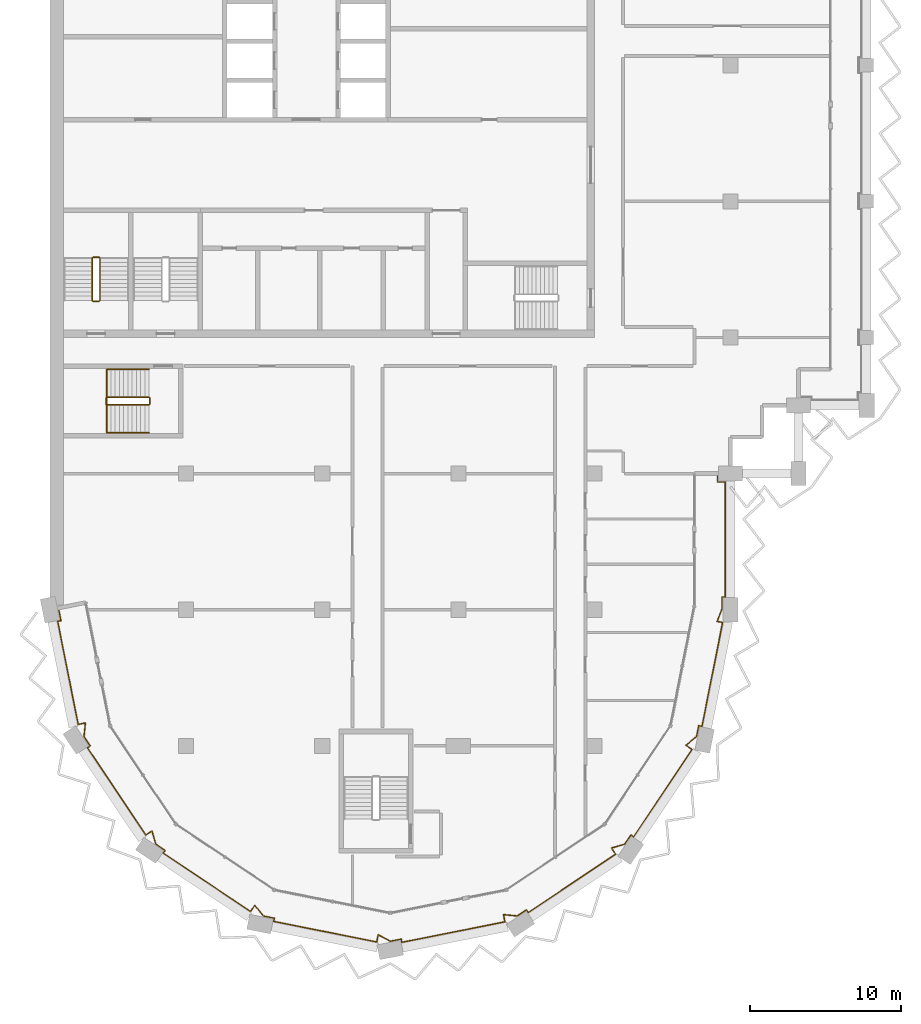
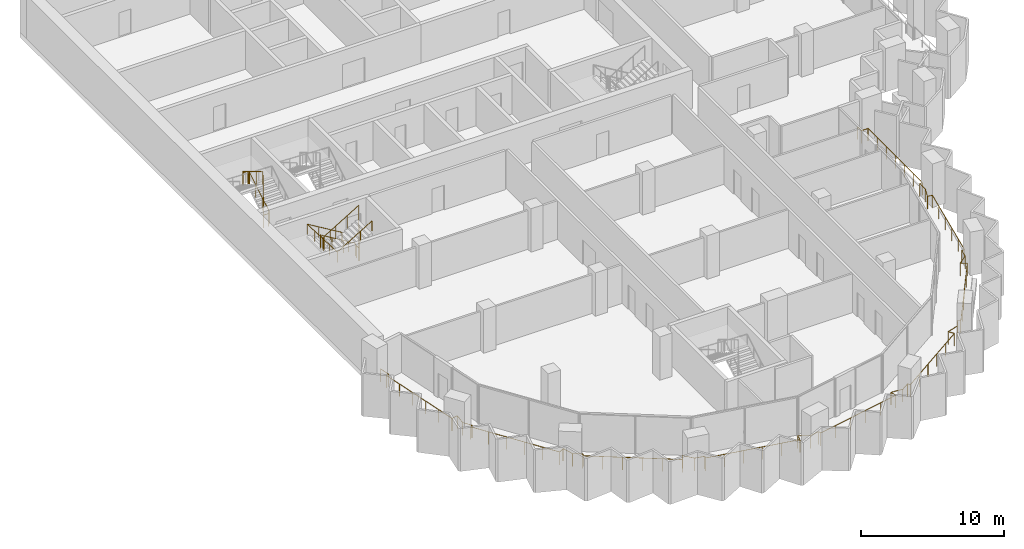
# One storey, part 14 of 16: 4 railings.
"""IFC4 building model written with IfcOpenShell, lengths in metres."""

from ifc_helpers import new_model, si_unit, direction, frame, origin, origin_2d, place, context, subcontext, project, spatial, circle, extrude, material, type_object, element, save


model = new_model("IFC4")

# Units and contexts
model_context = context("Model", 3, precision=1e-05, world=origin(), true_north=direction((0.0, 1.0)))
body_context = subcontext(model_context, "Body", "Model", "MODEL_VIEW")
ifc_project = project(units=[si_unit("LENGTHUNIT", "METRE"), si_unit("AREAUNIT", "SQUARE_METRE"), si_unit("VOLUMEUNIT", "CUBIC_METRE"), si_unit("PLANEANGLEUNIT", "RADIAN"), si_unit("MASSUNIT", "GRAM", prefix="KILO")], contexts=[model_context])

# Site, building, storey
site_placement = place(None, origin())
site = spatial("IfcSite", under=ifc_project, at=site_placement, CompositionType="ELEMENT")
building_placement = place(site_placement, origin())
building = spatial("IfcBuilding", under=site, at=building_placement, Name="Hunhe Ridgeline Campus", CompositionType="ELEMENT")
storey_placement = place(building_placement, frame((0.0, 0.0, 261.39990234375)))
storey = spatial("IfcBuildingStorey", under=building, at=storey_placement, Name="L67", CompositionType="ELEMENT", Elevation=261.39990234375)

# Railings
ifc_material_1 = material(Name="Steel Q355", Category="steel")
railing_type_1 = type_object("IfcRailingType", Name="Loggia guard 1100 Steel Q355", PredefinedType="GUARDRAIL", material=ifc_material_1)
railing_1_placement = place(storey_placement, frame((0.55908203125, 45.111083984375, 0.0)))
element("IfcRailing", 1, at=railing_1_placement, inside=storey, type_object=railing_type_1, Name="Loggia guard 1", PredefinedType="GUARDRAIL", context=body_context, shape_type="SweptSolid", body=[
    extrude(circle(Radius=0.02392578125, at=origin_2d()), frame((0.0, 0.0, 1.076171875), z_axis=(0.195066328581, -0.980790052689, 0.0), x_axis=(0.980790052689, 0.195066328581, 0.0)), (0.0, 0.0, 1.0), 0.849853515625),
    extrude(circle(Radius=0.02392578125, at=origin_2d()), frame((0.165771484375, -0.83349609375, 1.076171875), z_axis=(-0.980750988442, -0.195262640233, 0.0), x_axis=(0.195262640233, -0.980750988442, 0.0)), (0.0, 0.0, 1.0), 0.219970703125),
    extrude(circle(Radius=0.02392578125, at=origin_2d()), frame((-0.050048828125, -0.87646484375, 1.076171875), z_axis=(0.1951025318, -0.980782851647, 0.0), x_axis=(0.980782851647, 0.1951025318, 0.0)), (0.0, 0.0, 1.0), 6.94873046875),
    extrude(circle(Radius=0.02392578125, at=origin_2d()), frame((1.3056640625, -7.691650390625, 1.076171875), z_axis=(0.980791706313, 0.195058014004, 0.0), x_axis=(-0.195058014004, 0.980791706313, 0.0)), (0.0, 0.0, 1.0), 0.488037109375),
    extrude(circle(Radius=0.02392578125, at=origin_2d()), frame((1.784423828125, -7.596435546875, 1.076171875), z_axis=(-0.103312201106, -0.994648977832, 0.0), x_axis=(0.994648977832, -0.103312201106, 0.0)), (0.0, 0.0, 1.0), 0.907470703125),
    extrude(circle(Radius=0.02392578125, at=origin_2d()), frame((1.690673828125, -8.4990234375, 1.076171875), z_axis=(0.555464783965, -0.831540061437, 0.0), x_axis=(0.831540061437, 0.555464783965, 0.0)), (0.0, 0.0, 1.0), 0.736572265625),
    extrude(circle(Radius=0.02392578125, at=origin_2d()), frame((2.099853515625, -9.111572265625, 1.076171875), z_axis=(-0.831708467209, -0.555212594933, 0.0), x_axis=(0.555212594933, -0.831708467209, 0.0)), (0.0, 0.0, 1.0), 0.219970703125),
    extrude(circle(Radius=0.02392578125, at=origin_2d()), frame((1.9169921875, -9.233642578125, 1.076171875), z_axis=(0.555559363791, -0.831476874786, 0.0), x_axis=(0.831476874786, 0.555559363791, 0.0)), (0.0, 0.0, 1.0), 6.948486328125),
    extrude(circle(Radius=0.02392578125, at=origin_2d()), frame((5.77734375, -15.01123046875, 1.076171875), z_axis=(0.831588140797, 0.555392801615, 0.0), x_axis=(-0.555392801615, 0.831588140797, 0.0)), (0.0, 0.0, 1.0), 0.488037109375),
    extrude(circle(Radius=0.02392578125, at=origin_2d()), frame((6.18310546875, -14.740234375, 1.076171875), z_axis=(0.285150626135, -0.958482717849, 0.0), x_axis=(0.958482717849, 0.285150626135, 0.0)), (0.0, 0.0, 1.0), 0.907470703125),
    extrude(circle(Radius=0.02392578125, at=origin_2d()), frame((6.44189453125, -15.610107421875, 1.076171875), z_axis=(0.831540061437, -0.555464783965, 0.0), x_axis=(0.555464783965, 0.831540061437, 0.0)), (0.0, 0.0, 1.0), 0.736572265625),
    extrude(circle(Radius=0.02392578125, at=origin_2d()), frame((7.054443359375, -16.019287109375, 1.076171875), z_axis=(-0.555980009223, -0.831195662491, 0.0), x_axis=(0.831195662491, -0.555980009223, 0.0)), (0.0, 0.0, 1.0), 0.219970703125),
    extrude(circle(Radius=0.02392578125, at=origin_2d()), frame((6.93212890625, -16.2021484375, 1.076171875), z_axis=(0.831460644532, -0.555583654003, 0.0), x_axis=(0.555583654003, 0.831460644532, 0.0)), (0.0, 0.0, 1.0), 6.94873046875),
    extrude(circle(Radius=0.02392578125, at=origin_2d()), frame((12.709716796875, -20.062744140625, 1.076171875), z_axis=(0.555507638283, 0.831511433361, 0.0), x_axis=(-0.831511433361, 0.555507638283, 0.0)), (0.0, 0.0, 1.0), 0.48828125),
    extrude(circle(Radius=0.02392578125, at=origin_2d()), frame((12.98095703125, -19.65673828125, 1.076171875), z_axis=(0.630288754525, -0.776360796227, 0.0), x_axis=(0.776360796227, 0.630288754525, 0.0)), (0.0, 0.0, 1.0), 0.907470703125),
    extrude(circle(Radius=0.02392578125, at=origin_2d()), frame((13.552978515625, -20.361328125, 1.076171875), z_axis=(0.980758742397, -0.19522369019, 0.0), x_axis=(0.19522369019, 0.980758742397, 0.0)), (0.0, 0.0, 1.0), 0.736572265625),
    extrude(circle(Radius=0.02392578125, at=origin_2d()), frame((14.275390625, -20.505126953125, 1.076171875), z_axis=(-0.195262640233, -0.980750988442, 0.0), x_axis=(0.980750988442, -0.195262640233, 0.0)), (0.0, 0.0, 1.0), 0.219970703125),
    extrude(circle(Radius=0.02392578125, at=origin_2d()), frame((14.232421875, -20.720947265625, 1.076171875), z_axis=(0.980789574233, -0.195068734234, 0.0), x_axis=(0.195068734234, 0.980789574233, 0.0)), (0.0, 0.0, 1.0), 6.94873046875),
    extrude(circle(Radius=0.02392578125, at=origin_2d()), frame((21.047607421875, -22.076416015625, 1.076171875), z_axis=(0.195153744134, 0.980772662828, 0.0), x_axis=(-0.980772662828, 0.195153744134, 0.0)), (0.0, 0.0, 1.0), 0.48779296875),
    extrude(circle(Radius=0.02392578125, at=origin_2d()), frame((21.142822265625, -21.597900390625, 1.076171875), z_axis=(0.879371752487, -0.476135821934, 0.0), x_axis=(0.476135821934, 0.879371752487, 0.0)), (0.0, 0.0, 1.0), 0.907470703125),
    extrude(circle(Radius=0.02392578125, at=origin_2d()), frame((21.94091796875, -22.030029296875, 1.076171875), z_axis=(0.980758742397, 0.19522369019, 0.0), x_axis=(-0.19522369019, 0.980758742397, 0.0)), (0.0, 0.0, 1.0), 0.736572265625),
    extrude(circle(Radius=0.02392578125, at=origin_2d()), frame((22.663330078125, -21.88623046875, 1.076171875), z_axis=(0.195262640233, -0.980750988442, 0.0), x_axis=(0.980750988442, 0.195262640233, 0.0)), (0.0, 0.0, 1.0), 0.219970703125),
    extrude(circle(Radius=0.02392578125, at=origin_2d()), frame((22.706298828125, -22.10205078125, 1.076171875), z_axis=(0.980782851647, 0.1951025318, 0.0), x_axis=(-0.1951025318, 0.980782851647, 0.0)), (0.0, 0.0, 1.0), 6.94873046875),
    extrude(circle(Radius=0.02392578125, at=origin_2d()), frame((29.521484375, -20.746337890625, 1.076171875), z_axis=(-0.195058014004, 0.980791706313, 0.0), x_axis=(-0.980791706313, -0.195058014004, 0.0)), (0.0, 0.0, 1.0), 0.488037109375),
    extrude(circle(Radius=0.02392578125, at=origin_2d()), frame((29.42626953125, -20.267578125, 1.076171875), z_axis=(0.994648977832, -0.103312201106, 0.0), x_axis=(0.103312201106, 0.994648977832, 0.0)), (0.0, 0.0, 1.0), 0.907470703125),
    extrude(circle(Radius=0.02392578125, at=origin_2d()), frame((30.328857421875, -20.361328125, 1.076171875), z_axis=(0.831540061437, 0.555464783965, 0.0), x_axis=(-0.555464783965, 0.831540061437, 0.0)), (0.0, 0.0, 1.0), 0.736572265625),
    extrude(circle(Radius=0.02392578125, at=origin_2d()), frame((30.94140625, -19.9521484375, 1.076171875), z_axis=(0.555212594933, -0.831708467209, 0.0), x_axis=(0.831708467209, 0.555212594933, 0.0)), (0.0, 0.0, 1.0), 0.219970703125),
    extrude(circle(Radius=0.02392578125, at=origin_2d()), frame((31.0634765625, -20.135009765625, 1.076171875), z_axis=(0.831476874786, 0.555559363791, 0.0), x_axis=(-0.555559363791, 0.831476874786, 0.0)), (0.0, 0.0, 1.0), 6.948486328125),
    extrude(circle(Radius=0.02392578125, at=origin_2d()), frame((36.841064453125, -16.274658203125, 1.076171875), z_axis=(-0.555392801615, 0.831588140797, 0.0), x_axis=(-0.831588140797, -0.555392801615, 0.0)), (0.0, 0.0, 1.0), 0.488037109375),
    extrude(circle(Radius=0.02392578125, at=origin_2d()), frame((36.570068359375, -15.868896484375, 1.076171875), z_axis=(0.958482717849, 0.285150626135, 0.0), x_axis=(-0.285150626135, 0.958482717849, 0.0)), (0.0, 0.0, 1.0), 0.907470703125),
    extrude(circle(Radius=0.02392578125, at=origin_2d()), frame((37.43994140625, -15.610107421875, 1.076171875), z_axis=(0.555464783965, 0.831540061437, 0.0), x_axis=(-0.831540061437, 0.555464783965, 0.0)), (0.0, 0.0, 1.0), 0.736572265625),
    extrude(circle(Radius=0.02392578125, at=origin_2d()), frame((37.84912109375, -14.99755859375, 1.076171875), z_axis=(0.831195662491, -0.555980009223, 0.0), x_axis=(0.555980009223, 0.831195662491, 0.0)), (0.0, 0.0, 1.0), 0.219970703125),
    extrude(circle(Radius=0.02392578125, at=origin_2d()), frame((38.031982421875, -15.119873046875, 1.076171875), z_axis=(0.555583654003, 0.831460644532, 0.0), x_axis=(-0.831460644532, 0.555583654003, 0.0)), (0.0, 0.0, 1.0), 6.94873046875),
    extrude(circle(Radius=0.02392578125, at=origin_2d()), frame((41.892578125, -9.34228515625, 1.076171875), z_axis=(-0.831511433361, 0.555507638283, 0.0), x_axis=(-0.555507638283, -0.831511433361, 0.0)), (0.0, 0.0, 1.0), 0.48828125),
    extrude(circle(Radius=0.02392578125, at=origin_2d()), frame((41.486572265625, -9.071044921875, 1.076171875), z_axis=(0.776360796227, 0.630288754525, 0.0), x_axis=(-0.630288754525, 0.776360796227, 0.0)), (0.0, 0.0, 1.0), 0.907470703125),
    extrude(circle(Radius=0.02392578125, at=origin_2d()), frame((42.191162109375, -8.4990234375, 1.076171875), z_axis=(0.19522369019, 0.980758742397, 0.0), x_axis=(-0.980758742397, 0.19522369019, 0.0)), (0.0, 0.0, 1.0), 0.736572265625),
    extrude(circle(Radius=0.02392578125, at=origin_2d()), frame((42.3349609375, -7.776611328125, 1.076171875), z_axis=(0.980750988442, -0.195262640233, 0.0), x_axis=(0.195262640233, 0.980750988442, 0.0)), (0.0, 0.0, 1.0), 0.219970703125),
    extrude(circle(Radius=0.02392578125, at=origin_2d()), frame((42.55078125, -7.819580078125, 1.076171875), z_axis=(0.195082678264, 0.980786800809, 0.0), x_axis=(-0.980786800809, 0.195082678264, 0.0)), (0.0, 0.0, 1.0), 6.9970703125),
    extrude(circle(Radius=0.02392578125, at=origin_2d()), frame((43.915771484375, -0.95703125, 1.076171875), z_axis=(-0.980759647752, 0.195219141842, 0.0), x_axis=(-0.195219141842, -0.980759647752, 0.0)), (0.0, 0.0, 1.0), 0.366455078125),
    extrude(circle(Radius=0.02392578125, at=origin_2d()), frame((43.556396484375, -0.885498046875, 1.076171875), z_axis=(0.354074070723, 0.935217382453, 0.0), x_axis=(-0.935217382453, 0.354074070723, 0.0)), (0.0, 0.0, 1.0), 0.88818359375),
    extrude(circle(Radius=0.02392578125, at=origin_2d()), frame((43.870849609375, -0.054931640625, 1.076171875), z_axis=(0.0, 1.0, 0.0), x_axis=(-1.0, 0.0, 0.0)), (0.0, 0.0, 1.0), 0.7939453125),
    extrude(circle(Radius=0.02392578125, at=origin_2d()), frame((43.870849609375, 0.739013671875, 1.076171875), z_axis=(1.0, 0.0, 0.0), x_axis=(0.0, 1.0, 0.0)), (0.0, 0.0, 1.0), 0.219970703125),
    extrude(circle(Radius=0.02392578125, at=origin_2d()), frame((44.0908203125, 0.739013671875, 1.076171875), z_axis=(0.0, 1.0, 0.0), x_axis=(-1.0, 0.0, 0.0)), (0.0, 0.0, 1.0), 7.599853515625),
    extrude(circle(Radius=0.02392578125, at=origin_2d()), frame((44.0908203125, 8.3388671875, 1.076171875), z_axis=(-1.0, 0.0, 0.0), x_axis=(0.0, -1.0, 0.0)), (0.0, 0.0, 1.0), 0.52001953125),
    extrude(circle(Radius=0.02392578125, at=origin_2d()), frame((43.57080078125, 8.3388671875, 1.076171875), z_axis=(0.0, 1.0, 0.0), x_axis=(-1.0, 0.0, 0.0)), (0.0, 0.0, 1.0), 0.550048828125),
    extrude(circle(Radius=0.02099609375, at=origin_2d()), origin(), (0.0, 0.0, 1.0), 1.052001953125),
    extrude(circle(Radius=0.02099609375, at=origin_2d()), frame((0.165771484375, -0.83349609375, 0.0)), (0.0, 0.0, 1.0), 1.052001953125),
    extrude(circle(Radius=0.02099609375, at=origin_2d()), frame((-0.050048828125, -0.87646484375, 0.0)), (0.0, 0.0, 1.0), 1.052001953125),
    extrude(circle(Radius=0.02099609375, at=origin_2d()), frame((0.22119140625, -2.239501953125, 0.0)), (0.0, 0.0, 1.0), 1.052001953125),
    extrude(circle(Radius=0.02099609375, at=origin_2d()), frame((0.4921875, -3.6025390625, 0.0)), (0.0, 0.0, 1.0), 1.052001953125),
    extrude(circle(Radius=0.02099609375, at=origin_2d()), frame((0.763427734375, -4.965576171875, 0.0)), (0.0, 0.0, 1.0), 1.052001953125),
    extrude(circle(Radius=0.02099609375, at=origin_2d()), frame((1.034423828125, -6.32861328125, 0.0)), (0.0, 0.0, 1.0), 1.052001953125),
    extrude(circle(Radius=0.02099609375, at=origin_2d()), frame((1.3056640625, -7.691650390625, 0.0)), (0.0, 0.0, 1.0), 1.052001953125),
    extrude(circle(Radius=0.02099609375, at=origin_2d()), frame((1.784423828125, -7.596435546875, 0.0)), (0.0, 0.0, 1.0), 1.052001953125),
    extrude(circle(Radius=0.02099609375, at=origin_2d()), frame((1.690673828125, -8.4990234375, 0.0)), (0.0, 0.0, 1.0), 1.052001953125),
    extrude(circle(Radius=0.02099609375, at=origin_2d()), frame((2.099853515625, -9.111572265625, 0.0)), (0.0, 0.0, 1.0), 1.052001953125),
    extrude(circle(Radius=0.02099609375, at=origin_2d()), frame((1.9169921875, -9.233642578125, 0.0)), (0.0, 0.0, 1.0), 1.052001953125),
    extrude(circle(Radius=0.02099609375, at=origin_2d()), frame((2.68896484375, -10.38916015625, 0.0)), (0.0, 0.0, 1.0), 1.052001953125),
    extrude(circle(Radius=0.02099609375, at=origin_2d()), frame((3.461181640625, -11.544677734375, 0.0)), (0.0, 0.0, 1.0), 1.052001953125),
    extrude(circle(Radius=0.02099609375, at=origin_2d()), frame((4.233154296875, -12.7001953125, 0.0)), (0.0, 0.0, 1.0), 1.052001953125),
    extrude(circle(Radius=0.02099609375, at=origin_2d()), frame((5.00537109375, -13.855712890625, 0.0)), (0.0, 0.0, 1.0), 1.052001953125),
    extrude(circle(Radius=0.02099609375, at=origin_2d()), frame((5.77734375, -15.01123046875, 0.0)), (0.0, 0.0, 1.0), 1.052001953125),
    extrude(circle(Radius=0.02099609375, at=origin_2d()), frame((6.18310546875, -14.740234375, 0.0)), (0.0, 0.0, 1.0), 1.052001953125),
    extrude(circle(Radius=0.02099609375, at=origin_2d()), frame((6.44189453125, -15.610107421875, 0.0)), (0.0, 0.0, 1.0), 1.052001953125),
    extrude(circle(Radius=0.02099609375, at=origin_2d()), frame((7.054443359375, -16.019287109375, 0.0)), (0.0, 0.0, 1.0), 1.052001953125),
    extrude(circle(Radius=0.02099609375, at=origin_2d()), frame((6.93212890625, -16.2021484375, 0.0)), (0.0, 0.0, 1.0), 1.052001953125),
    extrude(circle(Radius=0.02099609375, at=origin_2d()), frame((8.087646484375, -16.974365234375, 0.0)), (0.0, 0.0, 1.0), 1.052001953125),
    extrude(circle(Radius=0.02099609375, at=origin_2d()), frame((9.2431640625, -17.746337890625, 0.0)), (0.0, 0.0, 1.0), 1.052001953125),
    extrude(circle(Radius=0.02099609375, at=origin_2d()), frame((10.398681640625, -18.5185546875, 0.0)), (0.0, 0.0, 1.0), 1.052001953125),
    extrude(circle(Radius=0.02099609375, at=origin_2d()), frame((11.55419921875, -19.29052734375, 0.0)), (0.0, 0.0, 1.0), 1.052001953125),
    extrude(circle(Radius=0.02099609375, at=origin_2d()), frame((12.709716796875, -20.062744140625, 0.0)), (0.0, 0.0, 1.0), 1.052001953125),
    extrude(circle(Radius=0.02099609375, at=origin_2d()), frame((12.98095703125, -19.65673828125, 0.0)), (0.0, 0.0, 1.0), 1.052001953125),
    extrude(circle(Radius=0.02099609375, at=origin_2d()), frame((13.552978515625, -20.361328125, 0.0)), (0.0, 0.0, 1.0), 1.052001953125),
    extrude(circle(Radius=0.02099609375, at=origin_2d()), frame((14.275390625, -20.505126953125, 0.0)), (0.0, 0.0, 1.0), 1.052001953125),
    extrude(circle(Radius=0.02099609375, at=origin_2d()), frame((14.232421875, -20.720947265625, 0.0)), (0.0, 0.0, 1.0), 1.052001953125),
    extrude(circle(Radius=0.02099609375, at=origin_2d()), frame((15.595458984375, -20.991943359375, 0.0)), (0.0, 0.0, 1.0), 1.052001953125),
    extrude(circle(Radius=0.02099609375, at=origin_2d()), frame((16.95849609375, -21.26318359375, 0.0)), (0.0, 0.0, 1.0), 1.052001953125),
    extrude(circle(Radius=0.02099609375, at=origin_2d()), frame((18.321533203125, -21.5341796875, 0.0)), (0.0, 0.0, 1.0), 1.052001953125),
    extrude(circle(Radius=0.02099609375, at=origin_2d()), frame((19.6845703125, -21.805419921875, 0.0)), (0.0, 0.0, 1.0), 1.052001953125),
    extrude(circle(Radius=0.02099609375, at=origin_2d()), frame((21.047607421875, -22.076416015625, 0.0)), (0.0, 0.0, 1.0), 1.052001953125),
    extrude(circle(Radius=0.02099609375, at=origin_2d()), frame((21.142822265625, -21.597900390625, 0.0)), (0.0, 0.0, 1.0), 1.052001953125),
    extrude(circle(Radius=0.02099609375, at=origin_2d()), frame((21.94091796875, -22.030029296875, 0.0)), (0.0, 0.0, 1.0), 1.052001953125),
    extrude(circle(Radius=0.02099609375, at=origin_2d()), frame((22.663330078125, -21.88623046875, 0.0)), (0.0, 0.0, 1.0), 1.052001953125),
    extrude(circle(Radius=0.02099609375, at=origin_2d()), frame((22.706298828125, -22.10205078125, 0.0)), (0.0, 0.0, 1.0), 1.052001953125),
    extrude(circle(Radius=0.02099609375, at=origin_2d()), frame((24.0693359375, -21.830810546875, 0.0)), (0.0, 0.0, 1.0), 1.052001953125),
    extrude(circle(Radius=0.02099609375, at=origin_2d()), frame((25.432373046875, -21.559814453125, 0.0)), (0.0, 0.0, 1.0), 1.052001953125),
    extrude(circle(Radius=0.02099609375, at=origin_2d()), frame((26.79541015625, -21.28857421875, 0.0)), (0.0, 0.0, 1.0), 1.052001953125),
    extrude(circle(Radius=0.02099609375, at=origin_2d()), frame((28.158447265625, -21.017578125, 0.0)), (0.0, 0.0, 1.0), 1.052001953125),
    extrude(circle(Radius=0.02099609375, at=origin_2d()), frame((29.521484375, -20.746337890625, 0.0)), (0.0, 0.0, 1.0), 1.052001953125),
    extrude(circle(Radius=0.02099609375, at=origin_2d()), frame((29.42626953125, -20.267578125, 0.0)), (0.0, 0.0, 1.0), 1.052001953125),
    extrude(circle(Radius=0.02099609375, at=origin_2d()), frame((30.328857421875, -20.361328125, 0.0)), (0.0, 0.0, 1.0), 1.052001953125),
    extrude(circle(Radius=0.02099609375, at=origin_2d()), frame((30.94140625, -19.9521484375, 0.0)), (0.0, 0.0, 1.0), 1.052001953125),
    extrude(circle(Radius=0.02099609375, at=origin_2d()), frame((31.0634765625, -20.135009765625, 0.0)), (0.0, 0.0, 1.0), 1.052001953125),
    extrude(circle(Radius=0.02099609375, at=origin_2d()), frame((32.218994140625, -19.363037109375, 0.0)), (0.0, 0.0, 1.0), 1.052001953125),
    extrude(circle(Radius=0.02099609375, at=origin_2d()), frame((33.37451171875, -18.5908203125, 0.0)), (0.0, 0.0, 1.0), 1.052001953125),
    extrude(circle(Radius=0.02099609375, at=origin_2d()), frame((34.530029296875, -17.81884765625, 0.0)), (0.0, 0.0, 1.0), 1.052001953125),
    extrude(circle(Radius=0.02099609375, at=origin_2d()), frame((35.685546875, -17.046630859375, 0.0)), (0.0, 0.0, 1.0), 1.052001953125),
    extrude(circle(Radius=0.02099609375, at=origin_2d()), frame((36.841064453125, -16.274658203125, 0.0)), (0.0, 0.0, 1.0), 1.052001953125),
    extrude(circle(Radius=0.02099609375, at=origin_2d()), frame((36.570068359375, -15.868896484375, 0.0)), (0.0, 0.0, 1.0), 1.052001953125),
    extrude(circle(Radius=0.02099609375, at=origin_2d()), frame((37.43994140625, -15.610107421875, 0.0)), (0.0, 0.0, 1.0), 1.052001953125),
    extrude(circle(Radius=0.02099609375, at=origin_2d()), frame((37.84912109375, -14.99755859375, 0.0)), (0.0, 0.0, 1.0), 1.052001953125),
    extrude(circle(Radius=0.02099609375, at=origin_2d()), frame((38.031982421875, -15.119873046875, 0.0)), (0.0, 0.0, 1.0), 1.052001953125),
    extrude(circle(Radius=0.02099609375, at=origin_2d()), frame((38.80419921875, -13.96435546875, 0.0)), (0.0, 0.0, 1.0), 1.052001953125),
    extrude(circle(Radius=0.02099609375, at=origin_2d()), frame((39.576171875, -12.808837890625, 0.0)), (0.0, 0.0, 1.0), 1.052001953125),
    extrude(circle(Radius=0.02099609375, at=origin_2d()), frame((40.348388671875, -11.6533203125, 0.0)), (0.0, 0.0, 1.0), 1.052001953125),
    extrude(circle(Radius=0.02099609375, at=origin_2d()), frame((41.120361328125, -10.497802734375, 0.0)), (0.0, 0.0, 1.0), 1.052001953125),
    extrude(circle(Radius=0.02099609375, at=origin_2d()), frame((41.892578125, -9.34228515625, 0.0)), (0.0, 0.0, 1.0), 1.052001953125),
    extrude(circle(Radius=0.02099609375, at=origin_2d()), frame((41.486572265625, -9.071044921875, 0.0)), (0.0, 0.0, 1.0), 1.052001953125),
    extrude(circle(Radius=0.02099609375, at=origin_2d()), frame((42.191162109375, -8.4990234375, 0.0)), (0.0, 0.0, 1.0), 1.052001953125),
    extrude(circle(Radius=0.02099609375, at=origin_2d()), frame((42.3349609375, -7.776611328125, 0.0)), (0.0, 0.0, 1.0), 1.052001953125),
    extrude(circle(Radius=0.02099609375, at=origin_2d()), frame((42.55078125, -7.819580078125, 0.0)), (0.0, 0.0, 1.0), 1.052001953125),
    extrude(circle(Radius=0.02099609375, at=origin_2d()), frame((42.82373046875, -6.447021484375, 0.0)), (0.0, 0.0, 1.0), 1.052001953125),
    extrude(circle(Radius=0.02099609375, at=origin_2d()), frame((43.0966796875, -5.074462890625, 0.0)), (0.0, 0.0, 1.0), 1.052001953125),
    extrude(circle(Radius=0.02099609375, at=origin_2d()), frame((43.369873046875, -3.7021484375, 0.0)), (0.0, 0.0, 1.0), 1.052001953125),
    extrude(circle(Radius=0.02099609375, at=origin_2d()), frame((43.642822265625, -2.32958984375, 0.0)), (0.0, 0.0, 1.0), 1.052001953125),
    extrude(circle(Radius=0.02099609375, at=origin_2d()), frame((43.915771484375, -0.95703125, 0.0)), (0.0, 0.0, 1.0), 1.052001953125),
    extrude(circle(Radius=0.02099609375, at=origin_2d()), frame((43.556396484375, -0.885498046875, 0.0)), (0.0, 0.0, 1.0), 1.052001953125),
    extrude(circle(Radius=0.02099609375, at=origin_2d()), frame((43.870849609375, -0.054931640625, 0.0)), (0.0, 0.0, 1.0), 1.052001953125),
    extrude(circle(Radius=0.02099609375, at=origin_2d()), frame((43.870849609375, 0.739013671875, 0.0)), (0.0, 0.0, 1.0), 1.052001953125),
    extrude(circle(Radius=0.02099609375, at=origin_2d()), frame((44.0908203125, 0.739013671875, 0.0)), (0.0, 0.0, 1.0), 1.052001953125),
    extrude(circle(Radius=0.02099609375, at=origin_2d()), frame((44.0908203125, 2.005615234375, 0.0)), (0.0, 0.0, 1.0), 1.052001953125),
    extrude(circle(Radius=0.02099609375, at=origin_2d()), frame((44.0908203125, 3.272216796875, 0.0)), (0.0, 0.0, 1.0), 1.052001953125),
    extrude(circle(Radius=0.02099609375, at=origin_2d()), frame((44.0908203125, 4.5390625, 0.0)), (0.0, 0.0, 1.0), 1.052001953125),
    extrude(circle(Radius=0.02099609375, at=origin_2d()), frame((44.0908203125, 5.8056640625, 0.0)), (0.0, 0.0, 1.0), 1.052001953125),
    extrude(circle(Radius=0.02099609375, at=origin_2d()), frame((44.0908203125, 7.072265625, 0.0)), (0.0, 0.0, 1.0), 1.052001953125),
    extrude(circle(Radius=0.02099609375, at=origin_2d()), frame((44.0908203125, 8.3388671875, 0.0)), (0.0, 0.0, 1.0), 1.052001953125),
    extrude(circle(Radius=0.02099609375, at=origin_2d()), frame((43.57080078125, 8.3388671875, 0.0)), (0.0, 0.0, 1.0), 1.052001953125),
    extrude(circle(Radius=0.02099609375, at=origin_2d()), frame((43.57080078125, 8.888916015625, 0.0)), (0.0, 0.0, 1.0), 1.052001953125),
])
ifc_material_2 = material(Name="Stainless steel balustrade", Category="steel")
railing_type_2 = type_object("IfcRailingType", Name="Stair guard 1100 stainless", PredefinedType="GUARDRAIL", material=ifc_material_2)
railing_2_placement = place(storey_placement, frame((3.300048828125, 65.449951171875, 0.168212890625)))
element("IfcRailing", 2, at=railing_2_placement, inside=storey, type_object=railing_type_2, Name="L67 stair S3 guard", PredefinedType="GUARDRAIL", context=body_context, shape_type="SweptSolid", body=[
    extrude(circle(Radius=0.02392578125, at=origin_2d()), frame((0.0, 0.0, 1.076171875), z_axis=(0.0, 0.857242210791, 0.514913383045), x_axis=(-1.0, 0.0, 0.0)), (0.0, 0.0, 1.0), 3.266357421875),
    extrude(circle(Radius=0.02392578125, at=origin_2d()), frame((0.0, 2.800048828125, 2.7578125), z_axis=(-0.707106781187, 0.707106781187, 0.0), x_axis=(-0.707106781187, -0.707106781187, 0.0)), (0.0, 0.0, 1.0), 0.07080078125),
    extrude(circle(Radius=0.02392578125, at=origin_2d()), frame((-0.050048828125, 2.85009765625, 2.7578125), z_axis=(-1.0, 0.0, 0.0), x_axis=(0.0, -1.0, 0.0)), (0.0, 0.0, 1.0), 0.39990234375),
    extrude(circle(Radius=0.02392578125, at=origin_2d()), frame((-0.449951171875, 2.85009765625, 2.7578125), z_axis=(-0.274243871929, -0.274243871929, 0.92172696468), x_axis=(0.707106781187, -0.707106781187, 0.0)), (0.0, 0.0, 1.0), 0.1826171875),
    extrude(circle(Radius=0.02392578125, at=origin_2d()), frame((-0.5, 2.800048828125, 2.92626953125), z_axis=(0.0, -0.857242210791, 0.514913383045), x_axis=(1.0, 0.0, 0.0)), (0.0, 0.0, 1.0), 3.266357421875),
    extrude(circle(Radius=0.02392578125, at=origin_2d()), frame((-0.5, 0.0, 4.60791015625), z_axis=(0.013523522368, -0.013523522368, -0.999817097616), x_axis=(0.707106781187, 0.707106781187, 0.0)), (0.0, 0.0, 1.0), 3.700927734375),
    extrude(circle(Radius=0.02392578125, at=origin_2d()), frame((-0.449951171875, -0.050048828125, 0.90771484375), z_axis=(1.0, 0.0, 0.0), x_axis=(0.0, 1.0, 0.0)), (0.0, 0.0, 1.0), 0.39990234375),
    extrude(circle(Radius=0.02099609375, at=origin_2d()), origin(), (0.0, 0.0, 1.0), 1.052001953125),
    extrude(circle(Radius=0.02099609375, at=origin_2d()), frame((0.0, 0.933349609375, 0.560546875)), (0.0, 0.0, 1.0), 1.052001953125),
    extrude(circle(Radius=0.02099609375, at=origin_2d()), frame((0.0, 1.86669921875, 1.121337890625)), (0.0, 0.0, 1.0), 1.052001953125),
    extrude(circle(Radius=0.02099609375, at=origin_2d()), frame((0.0, 2.800048828125, 1.681884765625)), (0.0, 0.0, 1.0), 1.052001953125),
    extrude(circle(Radius=0.02099609375, at=origin_2d()), frame((-0.050048828125, 2.85009765625, 1.681884765625)), (0.0, 0.0, 1.0), 1.052001953125),
    extrude(circle(Radius=0.02099609375, at=origin_2d()), frame((-0.449951171875, 2.85009765625, 1.681884765625)), (0.0, 0.0, 1.0), 1.052001953125),
    extrude(circle(Radius=0.02099609375, at=origin_2d()), frame((-0.5, 2.800048828125, 1.85009765625)), (0.0, 0.0, 1.0), 1.052001953125),
    extrude(circle(Radius=0.02099609375, at=origin_2d()), frame((-0.5, 1.86669921875, 2.41064453125)), (0.0, 0.0, 1.0), 1.052001953125),
    extrude(circle(Radius=0.02099609375, at=origin_2d()), frame((-0.5, 0.933349609375, 2.971435546875)), (0.0, 0.0, 1.0), 1.052001953125),
    extrude(circle(Radius=0.02099609375, at=origin_2d()), frame((-0.5, 0.0, 3.531982421875)), (0.0, 0.0, 1.0), 1.052001953125),
    extrude(circle(Radius=0.02099609375, at=origin_2d()), frame((-0.487548828125, -0.012451171875, 2.60693359375)), (0.0, 0.0, 1.0), 1.052001953125),
    extrude(circle(Radius=0.02099609375, at=origin_2d()), frame((-0.47509765625, -0.02490234375, 1.681884765625)), (0.0, 0.0, 1.0), 1.052001953125),
    extrude(circle(Radius=0.02099609375, at=origin_2d()), frame((-0.46240234375, -0.03759765625, 0.7568359375)), (0.0, 0.0, 1.0), 1.052001953125),
    extrude(circle(Radius=0.02099609375, at=origin_2d()), frame((-0.449951171875, -0.050048828125, -0.168212890625)), (0.0, 0.0, 1.0), 1.052001953125),
    extrude(circle(Radius=0.02099609375, at=origin_2d()), frame((-0.050048828125, -0.050048828125, -0.168212890625)), (0.0, 0.0, 1.0), 1.052001953125),
])
railing_3_placement = place(storey_placement, frame((6.550048828125, 59.050048828125, 0.168212890625)))
element("IfcRailing", 3, at=railing_3_placement, inside=storey, type_object=railing_type_2, Name="L67 stair W2 guard", PredefinedType="GUARDRAIL", context=body_context, shape_type="SweptSolid", body=[
    extrude(circle(Radius=0.02392578125, at=origin_2d()), frame((0.0, 0.0, 1.076171875), z_axis=(-0.857242210791, 0.0, 0.514913383045), x_axis=(0.0, -1.0, 0.0)), (0.0, 0.0, 1.0), 3.266357421875),
    extrude(circle(Radius=0.02392578125, at=origin_2d()), frame((-2.800048828125, 0.0, 2.7578125), z_axis=(-0.707106781187, -0.707106781187, 0.0), x_axis=(0.707106781187, -0.707106781187, 0.0)), (0.0, 0.0, 1.0), 0.07080078125),
    extrude(circle(Radius=0.02392578125, at=origin_2d()), frame((-2.85009765625, -0.050048828125, 2.7578125), z_axis=(0.0, -1.0, 0.0), x_axis=(1.0, 0.0, 0.0)), (0.0, 0.0, 1.0), 0.39990234375),
    extrude(circle(Radius=0.02392578125, at=origin_2d()), frame((-2.85009765625, -0.449951171875, 2.7578125), z_axis=(0.274243871929, -0.274243871929, 0.92172696468), x_axis=(0.707106781187, 0.707106781187, 0.0)), (0.0, 0.0, 1.0), 0.1826171875),
    extrude(circle(Radius=0.02392578125, at=origin_2d()), frame((-2.800048828125, -0.5, 2.92626953125), z_axis=(0.857242210791, 0.0, 0.514913383045), x_axis=(0.0, 1.0, 0.0)), (0.0, 0.0, 1.0), 3.266357421875),
    extrude(circle(Radius=0.02392578125, at=origin_2d()), frame((0.0, -0.5, 4.60791015625), z_axis=(0.013523522368, 0.013523522368, -0.999817097616), x_axis=(-0.707106781187, 0.707106781187, 0.0)), (0.0, 0.0, 1.0), 3.700927734375),
    extrude(circle(Radius=0.02392578125, at=origin_2d()), frame((0.050048828125, -0.449951171875, 0.90771484375), z_axis=(0.0, 1.0, 0.0), x_axis=(-1.0, 0.0, 0.0)), (0.0, 0.0, 1.0), 0.39990234375),
    extrude(circle(Radius=0.02099609375, at=origin_2d()), origin(), (0.0, 0.0, 1.0), 1.052001953125),
    extrude(circle(Radius=0.02099609375, at=origin_2d()), frame((-0.933349609375, 0.0, 0.560546875)), (0.0, 0.0, 1.0), 1.052001953125),
    extrude(circle(Radius=0.02099609375, at=origin_2d()), frame((-1.86669921875, 0.0, 1.121337890625)), (0.0, 0.0, 1.0), 1.052001953125),
    extrude(circle(Radius=0.02099609375, at=origin_2d()), frame((-2.800048828125, 0.0, 1.681884765625)), (0.0, 0.0, 1.0), 1.052001953125),
    extrude(circle(Radius=0.02099609375, at=origin_2d()), frame((-2.85009765625, -0.050048828125, 1.681884765625)), (0.0, 0.0, 1.0), 1.052001953125),
    extrude(circle(Radius=0.02099609375, at=origin_2d()), frame((-2.85009765625, -0.449951171875, 1.681884765625)), (0.0, 0.0, 1.0), 1.052001953125),
    extrude(circle(Radius=0.02099609375, at=origin_2d()), frame((-2.800048828125, -0.5, 1.85009765625)), (0.0, 0.0, 1.0), 1.052001953125),
    extrude(circle(Radius=0.02099609375, at=origin_2d()), frame((-1.86669921875, -0.5, 2.41064453125)), (0.0, 0.0, 1.0), 1.052001953125),
    extrude(circle(Radius=0.02099609375, at=origin_2d()), frame((-0.933349609375, -0.5, 2.971435546875)), (0.0, 0.0, 1.0), 1.052001953125),
    extrude(circle(Radius=0.02099609375, at=origin_2d()), frame((0.0, -0.5, 3.531982421875)), (0.0, 0.0, 1.0), 1.052001953125),
    extrude(circle(Radius=0.02099609375, at=origin_2d()), frame((0.012451171875, -0.487548828125, 2.60693359375)), (0.0, 0.0, 1.0), 1.052001953125),
    extrude(circle(Radius=0.02099609375, at=origin_2d()), frame((0.02490234375, -0.47509765625, 1.681884765625)), (0.0, 0.0, 1.0), 1.052001953125),
    extrude(circle(Radius=0.02099609375, at=origin_2d()), frame((0.03759765625, -0.46240234375, 0.7568359375)), (0.0, 0.0, 1.0), 1.052001953125),
    extrude(circle(Radius=0.02099609375, at=origin_2d()), frame((0.050048828125, -0.449951171875, -0.168212890625)), (0.0, 0.0, 1.0), 1.052001953125),
    extrude(circle(Radius=0.02099609375, at=origin_2d()), frame((0.050048828125, -0.050048828125, -0.168212890625)), (0.0, 0.0, 1.0), 1.052001953125),
])
ifc_material_3 = material(Name="Stainless steel handrail", Category="steel")
railing_type_3 = type_object("IfcRailingType", Name="Stair handrail 900 stainless", PredefinedType="HANDRAIL", material=ifc_material_3)
railing_4_placement = place(storey_placement, frame((6.550048828125, 60.89990234375, 0.168212890625)))
element("IfcRailing", 4, at=railing_4_placement, inside=storey, type_object=railing_type_3, Name="L67 stair W2 handrail", PredefinedType="HANDRAIL", context=body_context, shape_type="SweptSolid", body=[
    extrude(circle(Radius=0.02392578125, at=origin_2d()), frame((0.0, 0.0, 0.8759765625), z_axis=(-0.857242210791, 0.0, 0.514913383045), x_axis=(0.0, -1.0, 0.0)), (0.0, 0.0, 1.0), 3.266357421875),
    extrude(circle(Radius=0.02392578125, at=origin_2d()), frame((-2.800048828125, 0.0, 2.5576171875), z_axis=(0.0, -0.999198916169, 0.040019069537), x_axis=(1.0, 0.0, 0.0)), (0.0, 0.0, 1.0), 4.203369140625),
    extrude(circle(Radius=0.02392578125, at=origin_2d()), frame((-2.800048828125, -4.199951171875, 2.72607421875), z_axis=(0.857242210791, 0.0, 0.514913383045), x_axis=(0.0, 1.0, 0.0)), (0.0, 0.0, 1.0), 3.266357421875),
    extrude(circle(Radius=0.02099609375, at=origin_2d()), origin(), (0.0, 0.0, 1.0), 0.851806640625),
    extrude(circle(Radius=0.02099609375, at=origin_2d()), frame((-0.933349609375, 0.0, 0.560546875)), (0.0, 0.0, 1.0), 0.851806640625),
    extrude(circle(Radius=0.02099609375, at=origin_2d()), frame((-1.86669921875, 0.0, 1.121337890625)), (0.0, 0.0, 1.0), 0.851806640625),
    extrude(circle(Radius=0.02099609375, at=origin_2d()), frame((-2.800048828125, 0.0, 1.681884765625)), (0.0, 0.0, 1.0), 0.851806640625),
    extrude(circle(Radius=0.02099609375, at=origin_2d()), frame((-2.800048828125, -1.050048828125, 1.723876953125)), (0.0, 0.0, 1.0), 0.851806640625),
    extrude(circle(Radius=0.02099609375, at=origin_2d()), frame((-2.800048828125, -2.10009765625, 1.76611328125)), (0.0, 0.0, 1.0), 0.851806640625),
    extrude(circle(Radius=0.02099609375, at=origin_2d()), frame((-2.800048828125, -3.14990234375, 1.80810546875)), (0.0, 0.0, 1.0), 0.851806640625),
    extrude(circle(Radius=0.02099609375, at=origin_2d()), frame((-2.800048828125, -4.199951171875, 1.85009765625)), (0.0, 0.0, 1.0), 0.851806640625),
    extrude(circle(Radius=0.02099609375, at=origin_2d()), frame((-1.86669921875, -4.199951171875, 2.41064453125)), (0.0, 0.0, 1.0), 0.851806640625),
    extrude(circle(Radius=0.02099609375, at=origin_2d()), frame((-0.933349609375, -4.199951171875, 2.971435546875)), (0.0, 0.0, 1.0), 0.851806640625),
    extrude(circle(Radius=0.02099609375, at=origin_2d()), frame((0.0, -4.199951171875, 3.531982421875)), (0.0, 0.0, 1.0), 0.851806640625),
])

save(model, "model.ifc")
